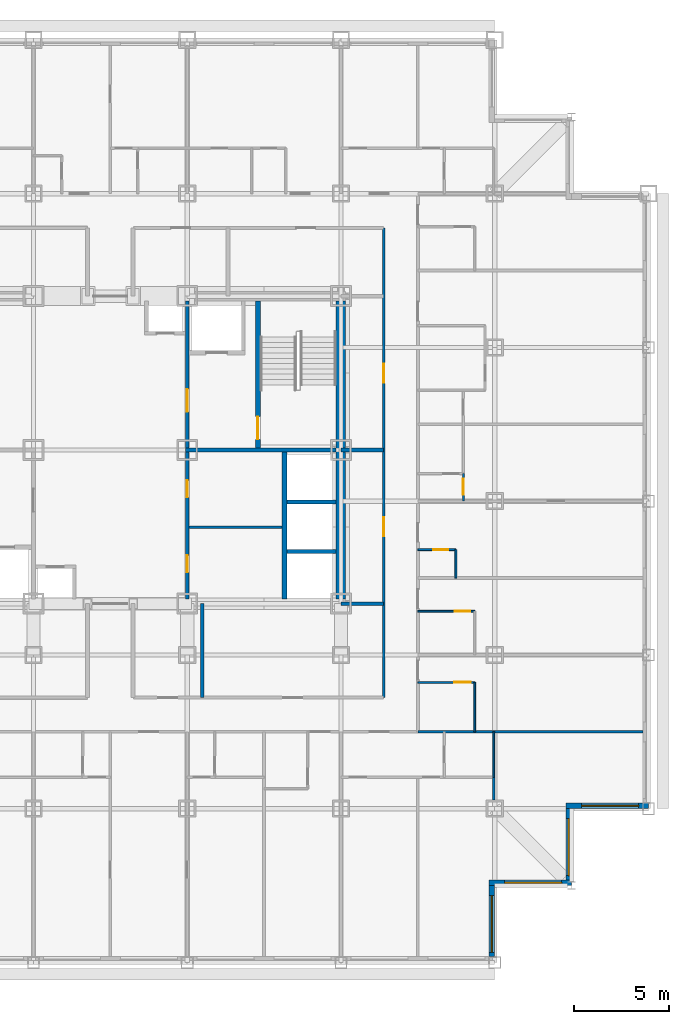
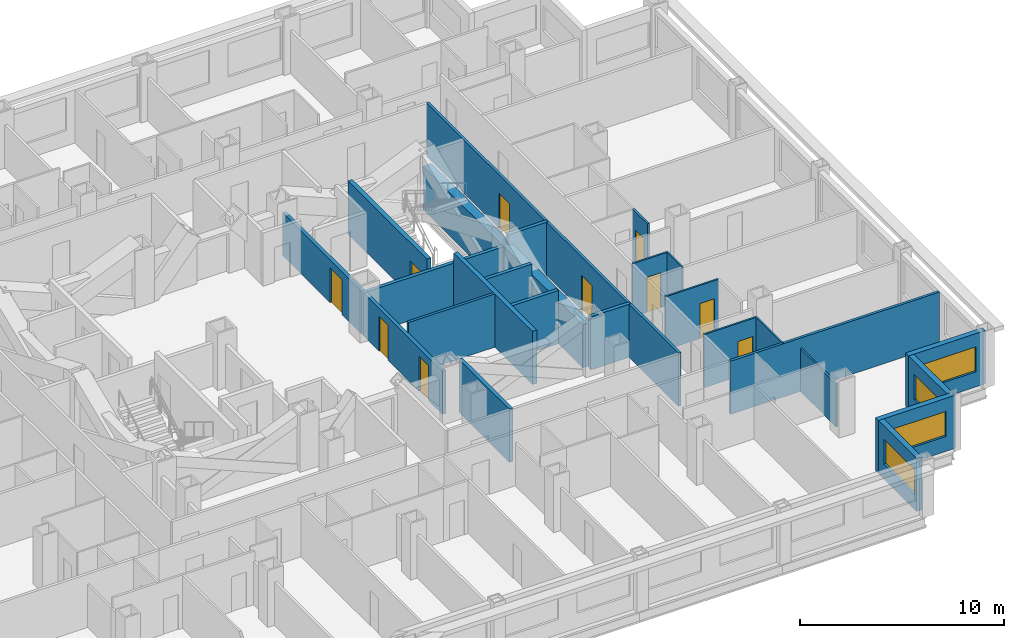
# One storey, part 7 of 12: 26 walls, 10 doors, 4 windows, 14 openings.
"""IFC4 building model written with IfcOpenShell, lengths in metres."""

from ifc_helpers import new_model, si_unit, direction, frame, frame_2d, origin, place, context, subcontext, project, spatial, rectangle, extrude, material, layer, layer_set, type_object, element, fill, save


model = new_model("IFC4")

# Units and contexts
model_context = context("Model", 3, precision=1e-05, world=origin(), true_north=direction((0.0, 1.0)))
body_context = subcontext(model_context, "Body", "Model", "MODEL_VIEW")
ifc_project = project(units=[si_unit("LENGTHUNIT", "METRE"), si_unit("AREAUNIT", "SQUARE_METRE"), si_unit("VOLUMEUNIT", "CUBIC_METRE"), si_unit("PLANEANGLEUNIT", "RADIAN"), si_unit("MASSUNIT", "GRAM", prefix="KILO")], contexts=[model_context])

# Site, building, storey
site_placement = place(None, origin())
site = spatial("IfcSite", under=ifc_project, at=site_placement, CompositionType="ELEMENT")
building_placement = place(site_placement, origin())
building = spatial("IfcBuilding", under=site, at=building_placement, Name="Kopane Lantern Tower", CompositionType="ELEMENT")
storey_placement = place(building_placement, frame((0.0, 0.0, 120.39990234375)))
storey = spatial("IfcBuildingStorey", under=building, at=storey_placement, Name="L30", CompositionType="ELEMENT", Elevation=120.39990234375)

# Wall, opening, door
ifc_material_1 = material(Name="Gypsum board on steel studs", Category="steel")
ifc_layer_1 = layer(ifc_material_1, 0.1201171875)
ifc_layer_set_1 = layer_set([ifc_layer_1], Name="APARTMENT INTERNAL WALL 120")
wall_type_1 = type_object("IfcWallType", Name="APARTMENT INTERNAL WALL 120", PredefinedType="PARTITIONING", material=ifc_layer_set_1)
wall_1_placement = place(storey_placement, frame((46.949951171875, 31.159912109375, 0.0), z_axis=(0.0, 0.0, 1.0), x_axis=(0.0, -1.0, 0.0)))
wall_1 = element("IfcWall", 1, at=wall_1_placement, inside=storey, type_object=wall_type_1, Name="Apartment Internal Wall 120 L30", PredefinedType="PARTITIONING", context=body_context, shape_type="SweptSolid", body=[
    extrude(rectangle(XDim=1.4599609375, YDim=0.1201171875, at=frame_2d((0.72998046875, 0.0))), origin(), (0.0, 0.0, 1.0), 3.190185546875),
])
opening_1_placement = place(wall_1_placement, frame((0.27490234375, 0.0, 0.0)))
opening_1 = element("IfcOpeningElement", 2, at=opening_1_placement, cuts=wall_1, Name="Opening L30-080", PredefinedType="OPENING", context=body_context, shape_type="SweptSolid", body=[
    extrude(rectangle(XDim=0.85009765625, YDim=2.10009765625, at=frame_2d((0.425048828125, 1.050048828125))), frame((0.0, 0.070068359375, 0.0), z_axis=(0.0, -1.0, 0.0), x_axis=(1.0, 0.0, 0.0)), (0.0, 0.0, 1.0), 0.14013671875),
])
ifc_material_2 = material(Name="Timber door set", Category="wood")
door_type_1 = type_object("IfcDoorType", Name="DOOR D4 850x2100", OperationType="SINGLE_SWING_LEFT", PredefinedType="DOOR", material=ifc_material_2)
door_1_placement = place(opening_1_placement, origin())
door_1 = element("IfcDoor", 3, at=door_1_placement, inside=storey, type_object=door_type_1, Name="Door L30-080", OperationType="SINGLE_SWING_RIGHT", OverallHeight=2.10009765625, OverallWidth=0.85009765625, PredefinedType="DOOR", context=body_context, shape_type="SweptSolid", body=[
    extrude(rectangle(XDim=0.85009765625, YDim=2.10009765625, at=frame_2d((0.425048828125, 1.050048828125))), frame((0.0, 0.02490234375, 0.0), z_axis=(0.0, -1.0, 0.0), x_axis=(1.0, 0.0, 0.0)), (0.0, 0.0, 1.0), 0.050048828125),
])
fill(opening_1, door_1)

# Walls
wall_2_placement = place(storey_placement, frame((48.550048828125, 15.14990234375, 0.0), z_axis=(0.0, 0.0, 1.0), x_axis=(0.0, -1.0, 0.0)))
element("IfcWall", 4, at=wall_2_placement, inside=storey, type_object=wall_type_1, Name="Apartment Internal Wall 120 L30", PredefinedType="PARTITIONING", context=body_context, shape_type="SweptSolid", body=[
    extrude(rectangle(XDim=1.199951171875, YDim=0.1201171875, at=frame_2d((0.60009765625, 0.0))), origin(), (0.0, 0.0, 1.0), 2.577880859375),
])
ifc_material_3 = material(Name="Moisture-resistant board on steel studs", Category="steel")
ifc_layer_2 = layer(ifc_material_3, 0.10009765625)
ifc_layer_set_2 = layer_set([ifc_layer_2], Name="BATHROOM WALL 100")
wall_type_2 = type_object("IfcWallType", Name="BATHROOM WALL 100", PredefinedType="PARTITIONING", material=ifc_layer_set_2)
wall_3_placement = place(storey_placement, frame((47.550048828125, 17.550048828125, 0.0), z_axis=(0.0, 0.0, 1.0), x_axis=(0.0, 1.0, 0.0)))
element("IfcWall", 5, at=wall_3_placement, inside=storey, type_object=wall_type_2, Name="Bathroom Wall 100 L30", PredefinedType="PARTITIONING", context=body_context, shape_type="SweptSolid", body=[
    extrude(rectangle(XDim=2.599853515625, YDim=0.10009765625, at=frame_2d((1.2998046875, 0.0))), origin(), (0.0, 0.0, 1.0), 3.190185546875),
])

# Wall, opening, door
wall_4_placement = place(storey_placement, frame((44.550048828125, 20.14990234375, 0.0), z_axis=(0.0, 0.0, 1.0), x_axis=(1.0, 0.0, 0.0)))
wall_4 = element("IfcWall", 6, at=wall_4_placement, inside=storey, type_object=wall_type_2, Name="Bathroom Wall 100 L30", PredefinedType="PARTITIONING", context=body_context, shape_type="SweptSolid", body=[
    extrude(rectangle(XDim=3.0, YDim=0.10009765625, at=frame_2d((1.5, 0.0))), origin(), (0.0, 0.0, 1.0), 3.190185546875),
])
opening_2_placement = place(wall_4_placement, frame((1.925048828125, 0.0, 0.0)))
opening_2 = element("IfcOpeningElement", 7, at=opening_2_placement, cuts=wall_4, Name="Opening L30-046", PredefinedType="OPENING", context=body_context, shape_type="SweptSolid", body=[
    extrude(rectangle(XDim=0.85009765625, YDim=2.10009765625, at=frame_2d((0.425048828125, 1.050048828125))), frame((0.0, 0.06005859375, 0.0), z_axis=(0.0, -1.0, 0.0), x_axis=(1.0, 0.0, 0.0)), (0.0, 0.0, 1.0), 0.1201171875),
])
door_2_placement = place(opening_2_placement, origin())
door_2 = element("IfcDoor", 8, at=door_2_placement, inside=storey, type_object=door_type_1, Name="Door L30-046", OperationType="SINGLE_SWING_LEFT", OverallHeight=2.10009765625, OverallWidth=0.85009765625, PredefinedType="DOOR", context=body_context, shape_type="SweptSolid", body=[
    extrude(rectangle(XDim=0.85009765625, YDim=2.10009765625, at=frame_2d((0.425048828125, 1.050048828125))), frame((0.0, 0.02490234375, 0.0), z_axis=(0.0, -1.0, 0.0), x_axis=(1.0, 0.0, 0.0)), (0.0, 0.0, 1.0), 0.050048828125),
])
fill(opening_2, door_2)

wall_5_placement = place(storey_placement, frame((44.550048828125, 23.89990234375, 0.0), z_axis=(0.0, 0.0, 1.0), x_axis=(1.0, 0.0, 0.0)))
wall_5 = element("IfcWall", 9, at=wall_5_placement, inside=storey, type_object=wall_type_2, Name="Bathroom Wall 100 L30", PredefinedType="PARTITIONING", context=body_context, shape_type="SweptSolid", body=[
    extrude(rectangle(XDim=3.0, YDim=0.10009765625, at=frame_2d((1.5, 0.0))), origin(), (0.0, 0.0, 1.0), 3.190185546875),
])
opening_3_placement = place(wall_5_placement, frame((1.949951171875, 0.0, 0.0)))
opening_3 = element("IfcOpeningElement", 10, at=opening_3_placement, cuts=wall_5, Name="Opening L30-048", PredefinedType="OPENING", context=body_context, shape_type="SweptSolid", body=[
    extrude(rectangle(XDim=0.800048828125, YDim=2.10009765625, at=frame_2d((0.39990234375, 1.050048828125))), frame((0.0, 0.06005859375, 0.0), z_axis=(0.0, -1.0, 0.0), x_axis=(1.0, 0.0, 0.0)), (0.0, 0.0, 1.0), 0.1201171875),
])
ifc_material_4 = material(Name="Timber door set", Category="wood")
door_type_2 = type_object("IfcDoorType", Name="DOOR D2 800x2100", OperationType="SINGLE_SWING_LEFT", PredefinedType="DOOR", material=ifc_material_4)
door_3_placement = place(opening_3_placement, origin())
door_3 = element("IfcDoor", 11, at=door_3_placement, inside=storey, type_object=door_type_2, Name="Door L30-048", OperationType="SINGLE_SWING_LEFT", OverallHeight=2.10009765625, OverallWidth=0.800048828125, PredefinedType="DOOR", context=body_context, shape_type="SweptSolid", body=[
    extrude(rectangle(XDim=0.800048828125, YDim=2.10009765625, at=frame_2d((0.39990234375, 1.050048828125))), frame((0.0, 0.02490234375, 0.0), z_axis=(0.0, -1.0, 0.0), x_axis=(1.0, 0.0, 0.0)), (0.0, 0.0, 1.0), 0.050048828125),
])
fill(opening_3, door_3)

# Wall
wall_6_placement = place(storey_placement, frame((46.550048828125, 25.64990234375, 0.0), z_axis=(0.0, 0.0, 1.0), x_axis=(0.0, 1.0, 0.0)))
element("IfcWall", 12, at=wall_6_placement, inside=storey, type_object=wall_type_2, Name="Bathroom Wall 100 L30", PredefinedType="PARTITIONING", context=body_context, shape_type="SweptSolid", body=[
    extrude(rectangle(XDim=1.5, YDim=0.10009765625, at=frame_2d((0.75, 0.0))), origin(), (0.0, 0.0, 1.0), 3.190185546875),
])

# Wall, opening, door
wall_7_placement = place(storey_placement, frame((44.550048828125, 27.14990234375, 0.0), z_axis=(0.0, 0.0, 1.0), x_axis=(1.0, 0.0, 0.0)))
wall_7 = element("IfcWall", 13, at=wall_7_placement, inside=storey, type_object=wall_type_2, Name="Bathroom Wall 100 L30", PredefinedType="PARTITIONING", context=body_context, shape_type="SweptSolid", body=[
    extrude(rectangle(XDim=2.0, YDim=0.10009765625, at=frame_2d((1.0, 0.0))), origin(), (0.0, 0.0, 1.0), 3.190185546875),
])
opening_4_placement = place(wall_7_placement, frame((0.800048828125, 0.0, 0.0)))
opening_4 = element("IfcOpeningElement", 14, at=opening_4_placement, cuts=wall_7, Name="Opening L30-050", PredefinedType="OPENING", context=body_context, shape_type="SweptSolid", body=[
    extrude(rectangle(XDim=0.800048828125, YDim=2.10009765625, at=frame_2d((0.39990234375, 1.050048828125))), frame((0.0, 0.06005859375, 0.0), z_axis=(0.0, -1.0, 0.0), x_axis=(1.0, 0.0, 0.0)), (0.0, 0.0, 1.0), 0.1201171875),
])
door_4_placement = place(opening_4_placement, origin())
door_4 = element("IfcDoor", 15, at=door_4_placement, inside=storey, type_object=door_type_2, Name="Door L30-050", OperationType="SINGLE_SWING_LEFT", OverallHeight=2.10009765625, OverallWidth=0.800048828125, PredefinedType="DOOR", context=body_context, shape_type="SweptSolid", body=[
    extrude(rectangle(XDim=0.800048828125, YDim=2.10009765625, at=frame_2d((0.39990234375, 1.050048828125))), frame((0.0, 0.02490234375, 0.0), z_axis=(0.0, -1.0, 0.0), x_axis=(1.0, 0.0, 0.0)), (0.0, 0.0, 1.0), 0.050048828125),
])
fill(opening_4, door_4)

# Walls
wall_8_placement = place(storey_placement, frame((48.550048828125, 17.550048828125, 0.0), z_axis=(0.0, 0.0, 1.0), x_axis=(0.0, -1.0, 0.0)))
element("IfcWall", 16, at=wall_8_placement, inside=storey, type_object=wall_type_2, Name="Bathroom Wall 100 L30", PredefinedType="PARTITIONING", context=body_context, shape_type="SweptSolid", body=[
    extrude(rectangle(XDim=2.400146484375, YDim=0.10009765625, at=frame_2d((1.2001953125, 0.0))), origin(), (0.0, 0.0, 1.0), 2.577880859375),
])
ifc_material_5 = material(Name="Gypsum shaft wall EI 120", Category="gypsum")
ifc_layer_3 = layer(ifc_material_5, 0.5)
ifc_layer_set_3 = layer_set([ifc_layer_3], Name="CORE PERIMETER WALL 500 EI 120")
wall_type_3 = type_object("IfcWallType", Name="CORE PERIMETER WALL 500 EI 120", PredefinedType="SOLIDWALL", material=ifc_layer_set_3)
wall_9_placement = place(storey_placement, frame((40.5, 24.550048828125, 0.0), z_axis=(0.0, 0.0, 1.0), x_axis=(0.0, 1.0, 0.0)))
element("IfcWall", 17, at=wall_9_placement, inside=storey, type_object=wall_type_3, Name="Core shaft wall L30 PE", PredefinedType="SOLIDWALL", context=body_context, shape_type="SweptSolid", body=[
    extrude(rectangle(XDim=15.699951171875, YDim=0.5, at=frame_2d((7.85009765625, 0.0))), origin(), (0.0, 0.0, 1.0), 2.577880859375),
])
ifc_material_6 = material(Name="Gypsum partition EI 60", Category="gypsum")
ifc_layer_4 = layer(ifc_material_6, 0.14990234375)
ifc_layer_set_4 = layer_set([ifc_layer_4], Name="CORE ROOM PARTITION 150 EI 60")
wall_type_4 = type_object("IfcWallType", Name="CORE ROOM PARTITION 150 EI 60", PredefinedType="PARTITIONING", material=ifc_layer_set_4)
wall_10_placement = place(storey_placement, frame((32.5, 28.324951171875, 0.0), z_axis=(0.0, 0.0, 1.0), x_axis=(1.0, 0.0, 0.0)))
element("IfcWall", 18, at=wall_10_placement, inside=storey, type_object=wall_type_4, Name="Core room partition L30 E1", PredefinedType="PARTITIONING", context=body_context, shape_type="SweptSolid", body=[
    extrude(rectangle(XDim=4.89990234375, YDim=0.14990234375, at=frame_2d((2.449951171875, 0.0))), origin(), (0.0, 0.0, 1.0), 3.190185546875),
])

# Wall, openings, doors
ifc_material_7 = material(Name="Gypsum partition EI 60", Category="gypsum")
ifc_layer_5 = layer(ifc_material_7, 0.199951171875)
ifc_layer_set_5 = layer_set([ifc_layer_5], Name="CORE ROOM WALL 200 EI 60")
wall_type_5 = type_object("IfcWallType", Name="CORE ROOM WALL 200 EI 60", PredefinedType="PARTITIONING", material=ifc_layer_set_5)
wall_11_placement = place(storey_placement, frame((32.39990234375, 24.550048828125, 0.0), z_axis=(0.0, 0.0, 1.0), x_axis=(0.0, 1.0, 0.0)))
wall_11 = element("IfcWall", 19, at=wall_11_placement, inside=storey, type_object=wall_type_5, Name="Core room wall L30 XE", PredefinedType="PARTITIONING", context=body_context, shape_type="SweptSolid", body=[
    extrude(rectangle(XDim=7.75, YDim=0.199951171875, at=frame_2d((3.875, 0.0))), origin(), (0.0, 0.0, 1.0), 2.577880859375),
])
opening_5_placement = place(wall_11_placement, frame((1.39990234375, 0.0, 0.0)))
opening_5 = element("IfcOpeningElement", 20, at=opening_5_placement, cuts=wall_11, Name="Opening 30.C20", PredefinedType="OPENING", context=body_context, shape_type="SweptSolid", body=[
    extrude(rectangle(XDim=0.89990234375, YDim=2.10009765625, at=frame_2d((0.449951171875, 1.050048828125))), frame((0.0, 0.10986328125, 0.0), z_axis=(0.0, -1.0, 0.0), x_axis=(1.0, 0.0, 0.0)), (0.0, 0.0, 1.0), 0.219970703125),
])
opening_6_placement = place(wall_11_placement, frame((5.35009765625, 0.0, 0.0)))
opening_6 = element("IfcOpeningElement", 21, at=opening_6_placement, cuts=wall_11, Name="Opening 30.C21", PredefinedType="OPENING", context=body_context, shape_type="SweptSolid", body=[
    extrude(rectangle(XDim=0.89990234375, YDim=2.10009765625, at=frame_2d((0.449951171875, 1.050048828125))), frame((0.0, 0.10986328125, 0.0), z_axis=(0.0, -1.0, 0.0), x_axis=(1.0, 0.0, 0.0)), (0.0, 0.0, 1.0), 0.219970703125),
])
ifc_material_8 = material(Name="Steel door set", Category="steel")
door_type_3 = type_object("IfcDoorType", Name="CORE ROOM DOOR 900x2100 FD60", OperationType="SINGLE_SWING_LEFT", PredefinedType="DOOR", material=ifc_material_8)
door_5_placement = place(opening_5_placement, origin())
door_5 = element("IfcDoor", 22, at=door_5_placement, inside=storey, type_object=door_type_3, Name="Door Linen store L30", OperationType="SINGLE_SWING_LEFT", OverallHeight=2.10009765625, OverallWidth=0.89990234375, PredefinedType="DOOR", context=body_context, shape_type="SweptSolid", body=[
    extrude(rectangle(XDim=0.89990234375, YDim=2.10009765625, at=frame_2d((0.449951171875, 1.050048828125))), frame((0.0, 0.02490234375, 0.0), z_axis=(0.0, -1.0, 0.0), x_axis=(1.0, 0.0, 0.0)), (0.0, 0.0, 1.0), 0.050048828125),
])
fill(opening_5, door_5)
door_6_placement = place(opening_6_placement, origin())
door_6 = element("IfcDoor", 23, at=door_6_placement, inside=storey, type_object=door_type_3, Name="Door Housekeeping store L30", OperationType="SINGLE_SWING_LEFT", OverallHeight=2.10009765625, OverallWidth=0.89990234375, PredefinedType="DOOR", context=body_context, shape_type="SweptSolid", body=[
    extrude(rectangle(XDim=0.89990234375, YDim=2.10009765625, at=frame_2d((0.449951171875, 1.050048828125))), frame((0.0, 0.02490234375, 0.0), z_axis=(0.0, -1.0, 0.0), x_axis=(1.0, 0.0, 0.0)), (0.0, 0.0, 1.0), 0.050048828125),
])
fill(opening_6, door_6)

# Wall
ifc_material_9 = material(Name="Gypsum shaft wall EI 120", Category="gypsum")
ifc_layer_6 = layer(ifc_material_9, 0.25)
ifc_layer_set_6 = layer_set([ifc_layer_6], Name="CORE SHAFT WALL 250 EI 120")
wall_type_6 = type_object("IfcWallType", Name="CORE SHAFT WALL 250 EI 120", PredefinedType="SOLIDWALL", material=ifc_layer_set_6)
wall_12_placement = place(storey_placement, frame((37.52490234375, 24.550048828125, 0.0), z_axis=(0.0, 0.0, 1.0), x_axis=(0.0, 1.0, 0.0)))
element("IfcWall", 24, at=wall_12_placement, inside=storey, type_object=wall_type_6, Name="Core shaft wall L30 XLR", PredefinedType="SOLIDWALL", context=body_context, shape_type="SweptSolid", body=[
    extrude(rectangle(XDim=7.75, YDim=0.25, at=frame_2d((3.875, 0.0))), origin(), (0.0, 0.0, 1.0), 3.190185546875),
])

# Wall, opening, door
wall_13_placement = place(storey_placement, frame((36.125, 32.5, 0.0), z_axis=(0.0, 0.0, 1.0), x_axis=(0.0, 1.0, 0.0)))
wall_13 = element("IfcWall", 25, at=wall_13_placement, inside=storey, type_object=wall_type_6, Name="Core shaft wall L30 XST2", PredefinedType="SOLIDWALL", context=body_context, shape_type="SweptSolid", body=[
    extrude(rectangle(XDim=7.75, YDim=0.25, at=frame_2d((3.875, 0.0))), origin(), (0.0, 0.0, 1.0), 3.190185546875),
])
opening_7_placement = place(wall_13_placement, frame((0.449951171875, 0.0, 0.0)))
opening_7 = element("IfcOpeningElement", 26, at=opening_7_placement, cuts=wall_13, Name="Opening 30.SD2", PredefinedType="OPENING", context=body_context, shape_type="SweptSolid", body=[
    extrude(rectangle(XDim=1.199951171875, YDim=2.10009765625, at=frame_2d((0.60009765625, 1.050048828125))), frame((0.0, 0.135009765625, 0.0), z_axis=(0.0, -1.0, 0.0), x_axis=(1.0, 0.0, 0.0)), (0.0, 0.0, 1.0), 0.27001953125),
])
ifc_material_10 = material(Name="Steel door set", Category="steel")
door_type_4 = type_object("IfcDoorType", Name="STAIR DOOR 1200x2100 FD60S", OperationType="SINGLE_SWING_LEFT", PredefinedType="DOOR", material=ifc_material_10)
door_7_placement = place(opening_7_placement, origin())
door_7 = element("IfcDoor", 27, at=door_7_placement, inside=storey, type_object=door_type_4, Name="Stair door ST2 L30", OperationType="SINGLE_SWING_RIGHT", OverallHeight=2.10009765625, OverallWidth=1.199951171875, PredefinedType="DOOR", context=body_context, shape_type="SweptSolid", body=[
    extrude(rectangle(XDim=1.199951171875, YDim=2.10009765625, at=frame_2d((0.60009765625, 1.050048828125))), frame((0.0, 0.02490234375, 0.0), z_axis=(0.0, -1.0, 0.0), x_axis=(1.0, 0.0, 0.0)), (0.0, 0.0, 1.0), 0.050048828125),
])
fill(opening_7, door_7)

# Wall, openings, doors
ifc_material_11 = material(Name="Gypsum board on steel studs", Category="steel")
ifc_layer_7 = layer(ifc_material_11, 0.14990234375)
ifc_layer_set_7 = layer_set([ifc_layer_7], Name="CORRIDOR WALL 150 EI 60")
wall_type_7 = type_object("IfcWallType", Name="CORRIDOR WALL 150 EI 60", PredefinedType="PARTITIONING", material=ifc_layer_set_7)
wall_14_placement = place(storey_placement, frame((42.75, 19.35009765625, 0.0), z_axis=(0.0, 0.0, 1.0), x_axis=(0.0, 1.0, 0.0)))
wall_14 = element("IfcWall", 28, at=wall_14_placement, inside=storey, type_object=wall_type_7, Name="Corridor Wall 150 Ei 60 L30", PredefinedType="PARTITIONING", context=body_context, shape_type="SweptSolid", body=[
    extrude(rectangle(XDim=24.75, YDim=0.14990234375, at=frame_2d((12.375, 0.0))), origin(), (0.0, 0.0, 1.0), 3.190185546875),
])
opening_8_placement = place(wall_14_placement, frame((8.5, 0.0, 0.0)))
opening_8 = element("IfcOpeningElement", 29, at=opening_8_placement, cuts=wall_14, Name="Opening L30-003", PredefinedType="OPENING", context=body_context, shape_type="SweptSolid", body=[
    extrude(rectangle(XDim=1.0, YDim=2.10009765625, at=frame_2d((0.5, 1.050048828125))), frame((0.0, 0.0849609375, 0.0), z_axis=(0.0, -1.0, 0.0), x_axis=(1.0, 0.0, 0.0)), (0.0, 0.0, 1.0), 0.169921875),
])
opening_9_placement = place(wall_14_placement, frame((16.60009765625, 0.0, 0.0)))
opening_9 = element("IfcOpeningElement", 30, at=opening_9_placement, cuts=wall_14, Name="Opening L30-004", PredefinedType="OPENING", context=body_context, shape_type="SweptSolid", body=[
    extrude(rectangle(XDim=1.0, YDim=2.10009765625, at=frame_2d((0.5, 1.050048828125))), frame((0.0, 0.0849609375, 0.0), z_axis=(0.0, -1.0, 0.0), x_axis=(1.0, 0.0, 0.0)), (0.0, 0.0, 1.0), 0.169921875),
])
ifc_material_12 = material(Name="Steel door set", Category="steel")
door_type_5 = type_object("IfcDoorType", Name="DOOR D5 1000x2100 FD60", OperationType="SINGLE_SWING_LEFT", PredefinedType="DOOR", material=ifc_material_12)
door_8_placement = place(opening_8_placement, origin())
door_8 = element("IfcDoor", 31, at=door_8_placement, inside=storey, type_object=door_type_5, Name="Door L30-003", OperationType="SINGLE_SWING_LEFT", OverallHeight=2.10009765625, OverallWidth=1.0, PredefinedType="DOOR", context=body_context, shape_type="SweptSolid", body=[
    extrude(rectangle(XDim=1.0, YDim=2.10009765625, at=frame_2d((0.5, 1.050048828125))), frame((0.0, 0.02490234375, 0.0), z_axis=(0.0, -1.0, 0.0), x_axis=(1.0, 0.0, 0.0)), (0.0, 0.0, 1.0), 0.050048828125),
])
fill(opening_8, door_8)
door_9_placement = place(opening_9_placement, origin())
door_9 = element("IfcDoor", 32, at=door_9_placement, inside=storey, type_object=door_type_5, Name="Door L30-004", OperationType="SINGLE_SWING_RIGHT", OverallHeight=2.10009765625, OverallWidth=1.0, PredefinedType="DOOR", context=body_context, shape_type="SweptSolid", body=[
    extrude(rectangle(XDim=1.0, YDim=2.10009765625, at=frame_2d((0.5, 1.050048828125))), frame((0.0, 0.02490234375, 0.0), z_axis=(0.0, -1.0, 0.0), x_axis=(1.0, 0.0, 0.0)), (0.0, 0.0, 1.0), 0.050048828125),
])
fill(opening_9, door_9)

# Wall
ifc_material_13 = material(Name="Gypsum board on steel studs", Category="steel")
ifc_layer_8 = layer(ifc_material_13, 0.14990234375)
ifc_layer_set_8 = layer_set([ifc_layer_8], Name="DEMISING WALL 150 EI 60")
wall_type_8 = type_object("IfcWallType", Name="DEMISING WALL 150 EI 60", PredefinedType="PARTITIONING", material=ifc_layer_set_8)
wall_15_placement = place(storey_placement, frame((44.550048828125, 17.550048828125, 0.0), z_axis=(0.0, 0.0, 1.0), x_axis=(1.0, 0.0, 0.0)))
element("IfcWall", 33, at=wall_15_placement, inside=storey, type_object=wall_type_8, Name="Demising Wall 150 Ei 60 L30", PredefinedType="PARTITIONING", context=body_context, shape_type="SweptSolid", body=[
    extrude(rectangle(XDim=11.849853515625, YDim=0.14990234375, at=frame_2d((5.9248046875, 0.0))), origin(), (0.0, 0.0, 1.0), 3.190185546875),
])

# Wall, opening, window
ifc_material_14 = material(Name="Terracotta rainscreen on light steel framing", Category="masonry")
ifc_layer_9 = layer(ifc_material_14, 0.300048828125)
ifc_layer_set_9 = layer_set([ifc_layer_9], Name="EXTERNAL WALL EW1 300 TERRACOTTA")
wall_type_9 = type_object("IfcWallType", Name="EXTERNAL WALL EW1 300 TERRACOTTA", PredefinedType="SOLIDWALL", material=ifc_layer_set_9)
wall_16_placement = place(storey_placement, frame((48.449951171875, 5.699951171875, 0.0), z_axis=(0.0, 0.0, 1.0), x_axis=(0.0, 1.0, 0.0)))
wall_16 = element("IfcWall", 34, at=wall_16_placement, inside=storey, type_object=wall_type_9, Name="External wall E L30", PredefinedType="SOLIDWALL", context=body_context, shape_type="SweptSolid", body=[
    extrude(rectangle(XDim=3.75, YDim=0.300048828125, at=frame_2d((1.875, 0.0))), origin(), (0.0, 0.0, 1.0), 3.190185546875),
])
opening_10_placement = place(wall_16_placement, frame((0.22509765625, 0.0, 0.89990234375)))
opening_10 = element("IfcOpeningElement", 35, at=opening_10_placement, cuts=wall_16, Name="Opening WR300150", PredefinedType="OPENING", context=body_context, shape_type="SweptSolid", body=[
    extrude(rectangle(XDim=3.0, YDim=1.5, at=frame_2d((1.5, 0.75))), frame((0.0, 0.159912109375, 0.0), z_axis=(0.0, -1.0, 0.0), x_axis=(1.0, 0.0, 0.0)), (0.0, 0.0, 1.0), 0.320068359375),
])
ifc_material_15 = material(Name="Aluminium and clear glass", Category="aluminium")
window_type = type_object("IfcWindowType", Name="RIBBON WINDOW WR300150 3000x1500", PartitioningType="SINGLE_PANEL", PredefinedType="WINDOW", material=ifc_material_15)
window_1_placement = place(opening_10_placement, origin())
window_1 = element("IfcWindow", 36, at=window_1_placement, inside=storey, type_object=window_type, Name="Window E L30", OverallHeight=1.5, OverallWidth=3.0, PartitioningType="SINGLE_PANEL", PredefinedType="WINDOW", context=body_context, shape_type="SweptSolid", body=[
    extrude(rectangle(XDim=3.0, YDim=1.5, at=frame_2d((1.5, 0.75))), frame((0.0, 0.030029296875, 0.0), z_axis=(0.0, -1.0, 0.0), x_axis=(1.0, 0.0, 0.0)), (0.0, 0.0, 1.0), 0.06005859375),
])
fill(opening_10, window_1)

wall_17_placement = place(storey_placement, frame((48.300048828125, 9.60009765625, 0.0), z_axis=(0.0, 0.0, 1.0), x_axis=(1.0, 0.0, 0.0)))
wall_17 = element("IfcWall", 37, at=wall_17_placement, inside=storey, type_object=wall_type_9, Name="External wall S L30", PredefinedType="SOLIDWALL", context=body_context, shape_type="SweptSolid", body=[
    extrude(rectangle(XDim=4.349853515625, YDim=0.300048828125, at=frame_2d((2.1748046875, 0.0))), origin(), (0.0, 0.0, 1.0), 3.190185546875),
])
opening_11_placement = place(wall_17_placement, frame((0.824951171875, 0.0, 0.89990234375)))
opening_11 = element("IfcOpeningElement", 38, at=opening_11_placement, cuts=wall_17, Name="Opening WR300150", PredefinedType="OPENING", context=body_context, shape_type="SweptSolid", body=[
    extrude(rectangle(XDim=3.0, YDim=1.5, at=frame_2d((1.5, 0.75))), frame((0.0, 0.159912109375, 0.0), z_axis=(0.0, -1.0, 0.0), x_axis=(1.0, 0.0, 0.0)), (0.0, 0.0, 1.0), 0.320068359375),
])
window_2_placement = place(opening_11_placement, origin())
window_2 = element("IfcWindow", 39, at=window_2_placement, inside=storey, type_object=window_type, Name="Window S L30", OverallHeight=1.5, OverallWidth=3.0, PartitioningType="SINGLE_PANEL", PredefinedType="WINDOW", context=body_context, shape_type="SweptSolid", body=[
    extrude(rectangle(XDim=3.0, YDim=1.5, at=frame_2d((1.5, 0.75))), frame((0.0, 0.030029296875, 0.0), z_axis=(0.0, -1.0, 0.0), x_axis=(1.0, 0.0, 0.0)), (0.0, 0.0, 1.0), 0.06005859375),
])
fill(opening_11, window_2)

wall_18_placement = place(storey_placement, frame((52.5, 9.75, 0.0), z_axis=(0.0, 0.0, 1.0), x_axis=(0.0, 1.0, 0.0)))
wall_18 = element("IfcWall", 40, at=wall_18_placement, inside=storey, type_object=wall_type_9, Name="External wall E L30", PredefinedType="SOLIDWALL", context=body_context, shape_type="SweptSolid", body=[
    extrude(rectangle(XDim=3.75, YDim=0.300048828125, at=frame_2d((1.875, 0.0))), origin(), (0.0, 0.0, 1.0), 3.190185546875),
])
opening_12_placement = place(wall_18_placement, frame((0.22509765625, 0.0, 0.89990234375)))
opening_12 = element("IfcOpeningElement", 41, at=opening_12_placement, cuts=wall_18, Name="Opening WR300150", PredefinedType="OPENING", context=body_context, shape_type="SweptSolid", body=[
    extrude(rectangle(XDim=3.0, YDim=1.5, at=frame_2d((1.5, 0.75))), frame((0.0, 0.159912109375, 0.0), z_axis=(0.0, -1.0, 0.0), x_axis=(1.0, 0.0, 0.0)), (0.0, 0.0, 1.0), 0.320068359375),
])
window_3_placement = place(opening_12_placement, origin())
window_3 = element("IfcWindow", 42, at=window_3_placement, inside=storey, type_object=window_type, Name="Window E L30", OverallHeight=1.5, OverallWidth=3.0, PartitioningType="SINGLE_PANEL", PredefinedType="WINDOW", context=body_context, shape_type="SweptSolid", body=[
    extrude(rectangle(XDim=3.0, YDim=1.5, at=frame_2d((1.5, 0.75))), frame((0.0, 0.030029296875, 0.0), z_axis=(0.0, -1.0, 0.0), x_axis=(1.0, 0.0, 0.0)), (0.0, 0.0, 1.0), 0.06005859375),
])
fill(opening_12, window_3)

wall_19_placement = place(storey_placement, frame((52.35009765625, 13.64990234375, 0.0), z_axis=(0.0, 0.0, 1.0), x_axis=(1.0, 0.0, 0.0)))
wall_19 = element("IfcWall", 43, at=wall_19_placement, inside=storey, type_object=wall_type_9, Name="External wall S L30", PredefinedType="SOLIDWALL", context=body_context, shape_type="SweptSolid", body=[
    extrude(rectangle(XDim=4.349853515625, YDim=0.300048828125, at=frame_2d((2.1748046875, 0.0))), origin(), (0.0, 0.0, 1.0), 3.190185546875),
])
opening_13_placement = place(wall_19_placement, frame((0.824951171875, 0.0, 0.89990234375)))
opening_13 = element("IfcOpeningElement", 44, at=opening_13_placement, cuts=wall_19, Name="Opening WR300150", PredefinedType="OPENING", context=body_context, shape_type="SweptSolid", body=[
    extrude(rectangle(XDim=3.0, YDim=1.5, at=frame_2d((1.5, 0.75))), frame((0.0, 0.159912109375, 0.0), z_axis=(0.0, -1.0, 0.0), x_axis=(1.0, 0.0, 0.0)), (0.0, 0.0, 1.0), 0.320068359375),
])
window_4_placement = place(opening_13_placement, origin())
window_4 = element("IfcWindow", 45, at=window_4_placement, inside=storey, type_object=window_type, Name="Window S L30", OverallHeight=1.5, OverallWidth=3.0, PartitioningType="SINGLE_PANEL", PredefinedType="WINDOW", context=body_context, shape_type="SweptSolid", body=[
    extrude(rectangle(XDim=3.0, YDim=1.5, at=frame_2d((1.5, 0.75))), frame((0.0, 0.030029296875, 0.0), z_axis=(0.0, -1.0, 0.0), x_axis=(1.0, 0.0, 0.0)), (0.0, 0.0, 1.0), 0.06005859375),
])
fill(opening_13, window_4)

# Walls
ifc_material_16 = material(Name="Concrete masonry", Category="masonry")
ifc_layer_10 = layer(ifc_material_16, 0.199951171875)
ifc_layer_set_10 = layer_set([ifc_layer_10], Name="PLANT ROOM WALL 200 EI 120")
wall_type_10 = type_object("IfcWallType", Name="PLANT ROOM WALL 200 EI 120", PredefinedType="SOLIDWALL", material=ifc_layer_set_10)
wall_20_placement = place(storey_placement, frame((40.5, 32.39990234375, 0.0), z_axis=(0.0, 0.0, 1.0), x_axis=(1.0, 0.0, 0.0)))
element("IfcWall", 46, at=wall_20_placement, inside=storey, type_object=wall_type_10, Name="Plant Room Wall 200 Ei 120 L30", PredefinedType="SOLIDWALL", context=body_context, shape_type="SweptSolid", body=[
    extrude(rectangle(XDim=2.25, YDim=0.199951171875, at=frame_2d((1.125, 0.0))), origin(), (0.0, 0.0, 1.0), 3.190185546875),
])
wall_21_placement = place(storey_placement, frame((33.186279296875, 19.35009765625, 0.0), z_axis=(0.0, 0.0, 1.0), x_axis=(0.0, 1.0, 0.0)))
element("IfcWall", 47, at=wall_21_placement, inside=storey, type_object=wall_type_10, Name="Plant Room Wall 200 Ei 120 L30", PredefinedType="SOLIDWALL", context=body_context, shape_type="SweptSolid", body=[
    extrude(rectangle(XDim=4.949951171875, YDim=0.199951171875, at=frame_2d((2.47509765625, 0.0))), origin(), (0.0, 0.0, 1.0), 3.190185546875),
])
wall_22_placement = place(storey_placement, frame((40.5, 24.300048828125, 0.0), z_axis=(0.0, 0.0, 1.0), x_axis=(1.0, 0.0, 0.0)))
element("IfcWall", 48, at=wall_22_placement, inside=storey, type_object=wall_type_10, Name="Plant Room Wall 200 Ei 120 L30", PredefinedType="SOLIDWALL", context=body_context, shape_type="SweptSolid", body=[
    extrude(rectangle(XDim=2.25, YDim=0.199951171875, at=frame_2d((1.125, 0.0))), origin(), (0.0, 0.0, 1.0), 3.190185546875),
])
ifc_material_17 = material(Name="Gypsum shaft wall EI 120", Category="gypsum")
ifc_layer_11 = layer(ifc_material_17, 0.199951171875)
ifc_layer_set_11 = layer_set([ifc_layer_11], Name="SHAFT WALL 200 EI 120")
wall_type_11 = type_object("IfcWallType", Name="SHAFT WALL 200 EI 120", PredefinedType="SOLIDWALL", material=ifc_layer_set_11)
wall_23_placement = place(storey_placement, frame((32.300048828125, 32.39990234375, 0.0), z_axis=(0.0, 0.0, 1.0), x_axis=(1.0, 0.0, 0.0)))
element("IfcWall", 49, at=wall_23_placement, inside=storey, type_object=wall_type_11, Name="Core shaft wall L30 Y324E", PredefinedType="SOLIDWALL", context=body_context, shape_type="SweptSolid", body=[
    extrude(rectangle(XDim=7.949951171875, YDim=0.199951171875, at=frame_2d((3.97509765625, 0.0))), origin(), (0.0, 0.0, 1.0), 2.577880859375),
])

# Wall, opening, door
wall_24_placement = place(storey_placement, frame((32.39990234375, 32.5, 0.0), z_axis=(0.0, 0.0, 1.0), x_axis=(0.0, 1.0, 0.0)))
wall_24 = element("IfcWall", 50, at=wall_24_placement, inside=storey, type_object=wall_type_11, Name="Core shaft wall L30 X324", PredefinedType="SOLIDWALL", context=body_context, shape_type="SweptSolid", body=[
    extrude(rectangle(XDim=7.75, YDim=0.199951171875, at=frame_2d((3.875, 0.0))), origin(), (0.0, 0.0, 1.0), 2.577880859375),
])
opening_14_placement = place(wall_24_placement, frame((1.89990234375, 0.0, 0.0)))
opening_14 = element("IfcOpeningElement", 51, at=opening_14_placement, cuts=wall_24, Name="Opening 30.FL2", PredefinedType="OPENING", context=body_context, shape_type="SweptSolid", body=[
    extrude(rectangle(XDim=1.199951171875, YDim=2.10009765625, at=frame_2d((0.60009765625, 1.050048828125))), frame((0.0, 0.10986328125, 0.0), z_axis=(0.0, -1.0, 0.0), x_axis=(1.0, 0.0, 0.0)), (0.0, 0.0, 1.0), 0.219970703125),
])
ifc_material_18 = material(Name="Steel door set", Category="steel")
door_type_6 = type_object("IfcDoorType", Name="FIREFIGHTING LOBBY DOOR 1200x2100 FD60S", OperationType="SINGLE_SWING_RIGHT", PredefinedType="DOOR", material=ifc_material_18)
door_10_placement = place(opening_14_placement, origin())
door_10 = element("IfcDoor", 52, at=door_10_placement, inside=storey, type_object=door_type_6, Name="Firefighting lobby door FL2 L30", OperationType="SINGLE_SWING_LEFT", OverallHeight=2.10009765625, OverallWidth=1.199951171875, PredefinedType="DOOR", context=body_context, shape_type="SweptSolid", body=[
    extrude(rectangle(XDim=1.199951171875, YDim=2.10009765625, at=frame_2d((0.60009765625, 1.050048828125))), frame((0.0, 0.02490234375, 0.0), z_axis=(0.0, -1.0, 0.0), x_axis=(1.0, 0.0, 0.0)), (0.0, 0.0, 1.0), 0.050048828125),
])
fill(opening_14, door_10)

# Walls
for number, where, z_axis, x_axis, name in (
    (53, (37.64990234375, 27.050048828125, 0.0), (0.0, 0.0, 1.0), (1.0, 0.0, 0.0), "Core shaft wall L30 YLR12"),
    (54, (37.64990234375, 29.64990234375, 0.0), (0.0, 0.0, 1.0), (1.0, 0.0, 0.0), "Core shaft wall L30 YLR23"),
):
    element("IfcWall", number, at=place(storey_placement, frame(where, z_axis=z_axis, x_axis=x_axis)), inside=storey, type_object=wall_type_11, Name=name, PredefinedType="SOLIDWALL", context=body_context, shape_type="SweptSolid", body=[
        extrude(rectangle(XDim=2.60009765625, YDim=0.199951171875, at=frame_2d((1.300048828125, 0.0))), origin(), (0.0, 0.0, 1.0), 3.190185546875),
    ])

save(model, "model.ifc")
